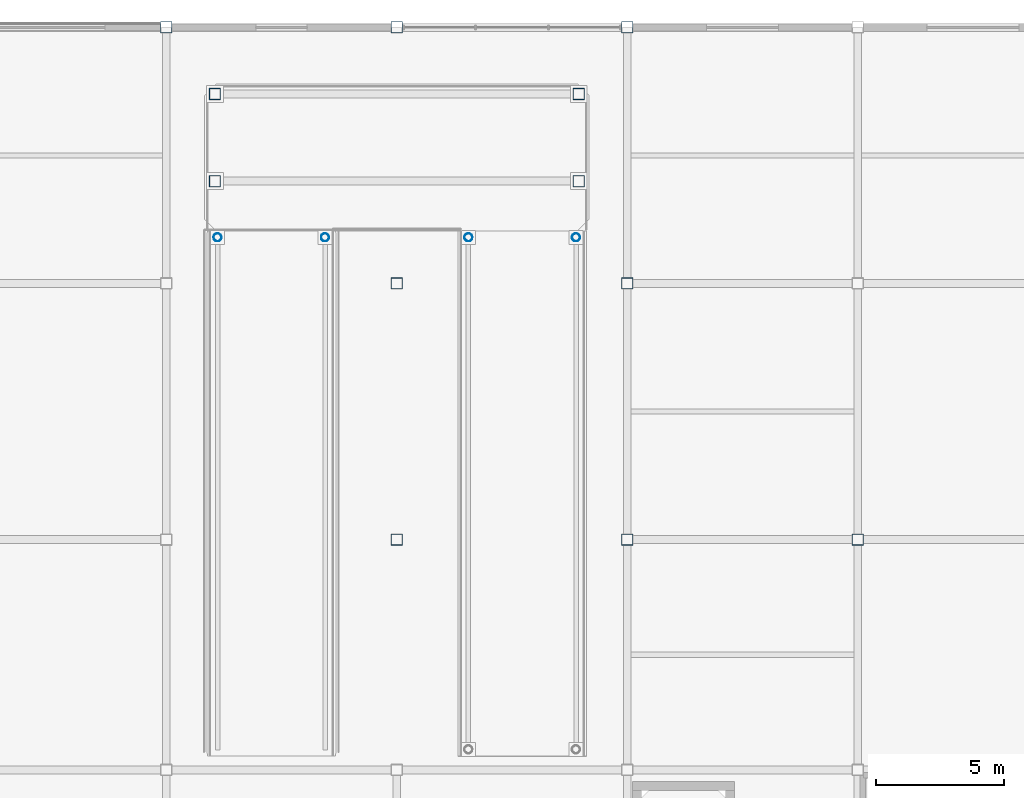
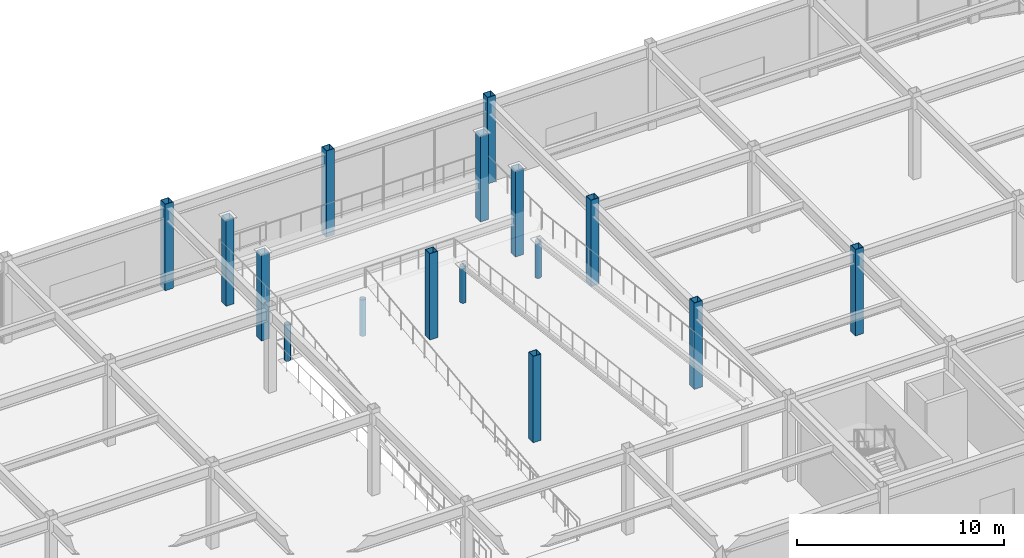
# One storey, part 20 of 123: 16 columns.
"""IFC4 building model written with IfcOpenShell, lengths in metres."""

from ifc_helpers import new_model, si_unit, direction, frame, origin, origin_2d, place, context, subcontext, project, spatial, hollow_rectangle, hollow_circle, extrude, material, material_profile, profile_set, type_object, element, save


model = new_model("IFC4")

# Units and contexts
model_context = context("Model", 3, precision=1e-05, world=origin(), true_north=direction((0.0, 1.0)))
body_context = subcontext(model_context, "Body", "Model", "MODEL_VIEW")
ifc_project = project(units=[si_unit("LENGTHUNIT", "METRE"), si_unit("AREAUNIT", "SQUARE_METRE"), si_unit("VOLUMEUNIT", "CUBIC_METRE"), si_unit("PLANEANGLEUNIT", "RADIAN"), si_unit("MASSUNIT", "GRAM", prefix="KILO")], contexts=[model_context])

# Site, building, storey
site_placement = place(None, origin())
site = spatial("IfcSite", under=ifc_project, at=site_placement, CompositionType="ELEMENT")
building_placement = place(site_placement, origin())
building = spatial("IfcBuilding", under=site, at=building_placement, Name="Suzunagisa Mobility Hub", CompositionType="ELEMENT")
storey_placement = place(building_placement, origin())
storey = spatial("IfcBuildingStorey", under=building, at=storey_placement, Name="L00", CompositionType="ELEMENT", Elevation=0.0)

# Columns
ifc_material = material(Name="Steel SN490B", Category="steel")
ifc_material_profile_1 = material_profile(ifc_material, hollow_circle(Radius=0.1591796875, WallThickness=0.01025390625, at=origin_2d()), Name="CHS-318.5x10.3")
ifc_profile_set_1 = profile_set([ifc_material_profile_1], Name="Steel SN490B")
column_type_1 = type_object("IfcColumnType", Name="Steel Column CL-09 CHS-318.5x10.3", PredefinedType="COLUMN", material=ifc_profile_set_1)
for number, where, z_axis, x_axis, name in (
    (1, (74.0, 109.800048828125, 0.0), (0.0, 0.0, 1.0), (1.0, 0.0, 0.0), "L00 Column 162"),
    (2, (78.199951171875, 109.800048828125, 0.0), (0.0, 0.0, 1.0), (1.0, 0.0, 0.0), "L00 Column 164"),
    (3, (83.800048828125, 109.800048828125, 0.0), (0.0, 0.0, 1.0), (1.0, 0.0, 0.0), "L00 Column 177"),
    (4, (88.0, 109.800048828125, 0.0), (0.0, 0.0, 1.0), (1.0, 0.0, 0.0), "L00 Column 179"),
):
    element("IfcColumn", number, at=place(storey_placement, frame(where, z_axis=z_axis, x_axis=x_axis)), inside=storey, type_object=column_type_1, Name=name, PredefinedType="COLUMN", context=body_context, shape_type="SweptSolid", body=[
        extrude(hollow_circle(Radius=0.1591796875, WallThickness=0.01025390625, at=origin_2d()), origin(), (0.0, 0.0, 1.0), 2.14990234375),
    ])
ifc_material_profile_2 = material_profile(ifc_material, hollow_rectangle(XDim=0.449951171875, YDim=0.449951171875, WallThickness=0.02197265625, at=origin_2d()), Name="BCR-450x450x22")
ifc_profile_set_2 = profile_set([ifc_material_profile_2], Name="Steel SN490B")
column_type_2 = type_object("IfcColumnType", Name="Steel Column CL-17 BCR-450x450x22", PredefinedType="COLUMN", material=ifc_profile_set_2)
for number, where, z_axis, x_axis, name in (
    (5, (72.0, 118.0, 0.0), (0.0, 0.0, 1.0), (1.0, 0.0, 0.0), "L00 Column 158"),
    (6, (73.89990234375, 112.0, 0.0), (0.0, 0.0, 1.0), (1.0, 0.0, 0.0), "L00 Column 159"),
    (7, (73.89990234375, 115.39990234375, 0.0), (0.0, 0.0, 1.0), (1.0, 0.0, 0.0), "L00 Column 160"),
    (8, (81.0, 98.0, 0.0), (0.0, 0.0, 1.0), (1.0, 0.0, 0.0), "L00 Column 173"),
    (9, (81.0, 108.0, 0.0), (0.0, 0.0, 1.0), (1.0, 0.0, 0.0), "L00 Column 174"),
    (10, (81.0, 118.0, 0.0), (0.0, 0.0, 1.0), (1.0, 0.0, 0.0), "L00 Column 175"),
    (11, (88.10009765625, 112.0, 0.0), (0.0, 0.0, 1.0), (1.0, 0.0, 0.0), "L00 Column 180"),
    (12, (88.10009765625, 115.39990234375, 0.0), (0.0, 0.0, 1.0), (1.0, 0.0, 0.0), "L00 Column 181"),
    (13, (90.0, 98.0, 0.0), (0.0, 0.0, 1.0), (1.0, 0.0, 0.0), "L00 Column 188"),
    (14, (90.0, 108.0, 0.0), (0.0, 0.0, 1.0), (1.0, 0.0, 0.0), "L00 Column 189"),
    (15, (90.0, 118.0, 0.0), (0.0, 0.0, 1.0), (1.0, 0.0, 0.0), "L00 Column 190"),
    (16, (99.0, 98.0, 0.0), (0.0, 0.0, 1.0), (1.0, 0.0, 0.0), "L00 Column 197"),
):
    element("IfcColumn", number, at=place(storey_placement, frame(where, z_axis=z_axis, x_axis=x_axis)), inside=storey, type_object=column_type_2, Name=name, PredefinedType="COLUMN", context=body_context, shape_type="SweptSolid", body=[
        extrude(hollow_rectangle(XDim=0.449951171875, YDim=0.449951171875, WallThickness=0.02197265625, at=origin_2d()), origin(), (0.0, 0.0, 1.0), 5.10009765625),
    ])

save(model, "model.ifc")
